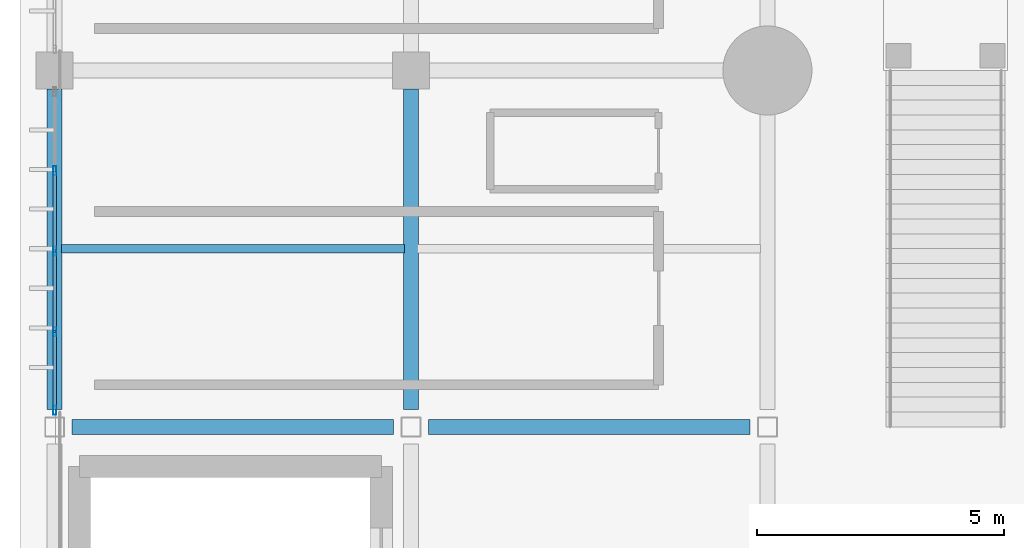
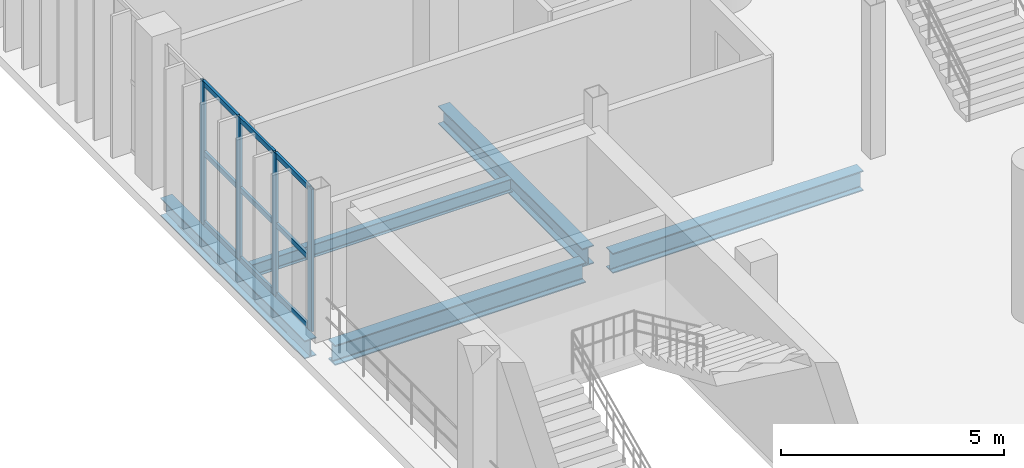
# One storey, part 30 of 130: 13 members, 5 beams, 1 element without a shape of its own.
"""IFC4 building model written with IfcOpenShell, lengths in metres."""

import ifcopenshell
import ifcopenshell.guid

model = None  # the IFC model being written
_history = None  # IfcOwnerHistory: only IFC2X3 demands one
_inside = {}  # id of a spatial element -> (the spatial element, [elements in it])
_under = {}  # id of a project, library or spatial element -> (it, [spatial elements below it])
_declared = {}  # id of a project -> (the project, [libraries it declares])
_typed = {}  # id of a type object -> (the type object, [elements of that type])
_made_of = {}  # id of a material, layer set ... -> (it, [elements and type objects made of it])


def new_model(schema):
    """Start an empty IFC model of exactly this schema.

    Asked for "IFC4X3", IfcOpenShell would pick the latest addendum, in which some entities
    have other attributes; the version numbers below select the first issue.
    IFC2X3 requires an IfcOwnerHistory on every rooted entity: one is made here for all.
    """
    global model, _history
    if schema == "IFC4X3":
        model = ifcopenshell.file(schema_version=(4, 3, 0, 0))
    else:
        model = ifcopenshell.file(schema=schema)
    _inside.clear()
    _under.clear()
    _declared.clear()
    _typed.clear()
    _made_of.clear()
    _history = None
    if model.schema == "IFC2X3":
        org = make("IfcOrganization", Name="unknown")
        user = make(
            "IfcPersonAndOrganization",
            ThePerson=make("IfcPerson", FamilyName="unknown"),
            TheOrganization=org,
        )
        app = make(
            "IfcApplication",
            ApplicationDeveloper=org,
            Version="unknown",
            ApplicationFullName="unknown",
            ApplicationIdentifier="unknown",
        )
        _history = make(
            "IfcOwnerHistory",
            OwningUser=user,
            OwningApplication=app,
            ChangeAction="ADDED",
            CreationDate=0,
        )
    return model


def make(cls, **values):
    """One entity of the class cls with the attributes given. An attribute that is None is left unset."""
    return model.create_entity(
        cls, **{name: value for name, value in values.items() if value is not None}
    )


def rooted(cls, **values):
    """An entity with a GlobalId (a new one), such as an element, a storey or a relation."""
    return make(cls, GlobalId=ifcopenshell.guid.new(), OwnerHistory=_history, **values)


def si_unit(unit_type, name, prefix=None):
    """IfcSIUnit, for example si_unit("LENGTHUNIT", "METRE", prefix="MILLI")."""
    return make("IfcSIUnit", UnitType=unit_type, Prefix=prefix, Name=name)


def assignment(units):
    """IfcUnitAssignment: the units of a project."""
    return None if units is None else make("IfcUnitAssignment", Units=units)


def point(xyz):
    """IfcCartesianPoint."""
    return None if xyz is None else make("IfcCartesianPoint", Coordinates=xyz)


def direction(xyz):
    """IfcDirection."""
    return None if xyz is None else make("IfcDirection", DirectionRatios=xyz)


def frame(location, z_axis=None, x_axis=None):
    """IfcAxis2Placement3D, a coordinate frame: its origin and axes. An axis left out is left unset."""
    return make(
        "IfcAxis2Placement3D",
        Location=point(location),
        Axis=direction(z_axis),
        RefDirection=direction(x_axis),
    )


def frame_2d(location, x_axis=None):
    """IfcAxis2Placement2D, a coordinate frame in the plane: its origin and x axis."""
    return make(
        "IfcAxis2Placement2D", Location=point(location), RefDirection=direction(x_axis)
    )


def origin():
    """The frame at (0, 0, 0) with its axes left unset."""
    return frame((0.0, 0.0, 0.0))


def origin_2d():
    """The frame at (0, 0) in the plane with its x axis left unset."""
    return frame_2d((0.0, 0.0))


def place(relative_to, where):
    """IfcLocalPlacement: puts the frame where relative to a parent placement (None: the world)."""
    return make(
        "IfcLocalPlacement", PlacementRelTo=relative_to, RelativePlacement=where
    )


def context(
    kind, dimensions, precision=None, world=None, true_north=None, identifier=None
):
    """IfcGeometricRepresentationContext, for example the 3D "Model" context."""
    return make(
        "IfcGeometricRepresentationContext",
        ContextIdentifier=identifier,
        ContextType=kind,
        CoordinateSpaceDimension=dimensions,
        Precision=precision,
        WorldCoordinateSystem=world,
        TrueNorth=true_north,
    )


def subcontext(parent, identifier, kind, view, scale=None):
    """IfcGeometricRepresentationSubContext, for example "Body" below "Model"."""
    return make(
        "IfcGeometricRepresentationSubContext",
        ContextIdentifier=identifier,
        ContextType=kind,
        ParentContext=parent,
        TargetScale=scale,
        TargetView=view,
    )


def project(units=None, contexts=None):
    """IfcProject with its units and contexts."""
    return rooted(
        "IfcProject",
        Name="project",
        RepresentationContexts=contexts,
        UnitsInContext=assignment(units),
    )


def spatial(cls, under=None, at=None, **own):
    """A site, building, storey or space (cls), placed at a placement, below another one or the project."""
    s = rooted(cls, ObjectPlacement=at, **own)
    if under is not None:
        _under.setdefault(under.id(), (under, []))[1].append(s)
    return s


def profile(cls, at=None, kind="AREA", **sizes):
    """A parametric profile (cls). Its sizes go by their IFC names, for example OverallWidth=200.0."""
    return make(cls, ProfileType=kind, Position=at, **sizes)


def hollow_rectangle(**sizes):
    """IfcRectangleHollowProfileDef."""
    return profile("IfcRectangleHollowProfileDef", **sizes)


def i_section(**sizes):
    """IfcIShapeProfileDef."""
    return profile("IfcIShapeProfileDef", **sizes)


def extrude(swept, where, along, depth):
    """IfcExtrudedAreaSolid: the profile swept, set in the frame where, extruded along a direction by depth."""
    return make(
        "IfcExtrudedAreaSolid",
        SweptArea=swept,
        Position=where,
        ExtrudedDirection=direction(along),
        Depth=depth,
    )


def shape(context_of_items, identifier, shape_type, items):
    """IfcShapeRepresentation: the items that make up one representation, for example the "Body"."""
    return make(
        "IfcShapeRepresentation",
        ContextOfItems=context_of_items,
        RepresentationIdentifier=identifier,
        RepresentationType=shape_type,
        Items=items,
    )


def material(Name=None, Category=None):
    """IfcMaterial."""
    return make("IfcMaterial", Name=Name, Category=Category)


def material_profile(
    of_material, cross_section, Name=None, Category=None, Priority=None
):
    """IfcMaterialProfile: a cross section and its material."""
    return make(
        "IfcMaterialProfile",
        Name=Name,
        Material=of_material,
        Profile=cross_section,
        Priority=Priority,
        Category=Category,
    )


def profile_set(profiles, Name=None, composite=None):
    """IfcMaterialProfileSet."""
    return make(
        "IfcMaterialProfileSet",
        Name=Name,
        MaterialProfiles=profiles,
        CompositeProfile=composite,
    )


def made_of(thing, what):
    """Note that an element or type object is made of a material, layer set ...; save() writes the relation."""
    if what is not None:
        _made_of.setdefault(what.id(), (what, []))[1].append(thing)
    return thing


def type_object(cls, material=None, **own):
    """A type object (cls), such as IfcWallType, which elements share."""
    return made_of(rooted(cls, **own), material)


def element(
    cls,
    number,
    at=None,
    inside=None,
    cuts=None,
    type_object=None,
    material=None,
    context=None,
    identifier="Body",
    shape_type=None,
    held_by="IfcProductDefinitionShape",
    body=None,
    shapes=None,
    **own,
):
    """One element of the class cls, such as IfcWall. Its Tag is "e" and its number.

    at: its placement. inside: the storey or other place that contains it. cuts: it is an
    opening in that element (IfcRelVoidsElement). A single representation is given by context,
    identifier, shape_type and body (its items); several are given by shapes. held_by: the class
    of the entity that holds the representations. save() writes the other relations.
    """
    e = rooted(cls, Tag="e%d" % number, ObjectPlacement=at, **own)
    if body is not None:
        shapes = [shape(context, identifier, shape_type, body)]
    if shapes is not None:
        e.Representation = make(held_by, Representations=shapes)
    if inside is not None:
        _inside.setdefault(inside.id(), (inside, []))[1].append(e)
    if cuts is not None:
        rooted(
            "IfcRelVoidsElement", RelatingBuildingElement=cuts, RelatedOpeningElement=e
        )
    if type_object is not None:
        _typed.setdefault(type_object.id(), (type_object, []))[1].append(e)
    return made_of(e, material)


def aggregate(whole, parts):
    """IfcRelAggregates: a whole, such as a stair, and the parts it consists of."""
    return rooted("IfcRelAggregates", RelatingObject=whole, RelatedObjects=parts)


def save(model, path):
    """Write the relations noted so far, then the file.

    IfcRelAggregates (storeys below a building ...), IfcRelContainedInSpatialStructure (elements
    in a storey), IfcRelDefinesByType, IfcRelAssociatesMaterial and IfcRelDeclares: one each for
    every whole, place, type object, material and project.
    """
    for whole, parts in _under.values():
        aggregate(whole, parts)
    for where, things in _inside.values():
        rooted(
            "IfcRelContainedInSpatialStructure",
            RelatedElements=things,
            RelatingStructure=where,
        )
    for kind, things in _typed.values():
        rooted("IfcRelDefinesByType", RelatedObjects=things, RelatingType=kind)
    for what, things in _made_of.values():
        rooted("IfcRelAssociatesMaterial", RelatedObjects=things, RelatingMaterial=what)
    for by, libraries in _declared.values():
        rooted("IfcRelDeclares", RelatingContext=by, RelatedDefinitions=libraries)
    model.write(path)


model = new_model("IFC4")

# Units and contexts
model_context = context("Model", 3, precision=1e-05, world=origin(), true_north=direction((0.0, 1.0)))
body_context = subcontext(model_context, "Body", "Model", "MODEL_VIEW")
ifc_project = project(units=[si_unit("LENGTHUNIT", "METRE"), si_unit("AREAUNIT", "SQUARE_METRE"), si_unit("VOLUMEUNIT", "CUBIC_METRE"), si_unit("PLANEANGLEUNIT", "RADIAN"), si_unit("MASSUNIT", "GRAM", prefix="KILO")], contexts=[model_context])

# Site, building, storey
site_placement = place(None, origin())
site = spatial("IfcSite", under=ifc_project, at=site_placement, CompositionType="ELEMENT")
building_placement = place(site_placement, origin())
building = spatial("IfcBuilding", under=site, at=building_placement, Name="Qandorah Velis Arena", CompositionType="ELEMENT")
storey_placement = place(building_placement, frame((0.0, 0.0, 9.60009765625)))
storey = spatial("IfcBuildingStorey", under=building, at=storey_placement, Name="L02", CompositionType="ELEMENT", Elevation=9.60009765625)

# Curtain wall, members
ifc_material_1 = material(Name="Solar-control low-E double glazing", Category="glass")
curtain_wall_type = type_object("IfcCurtainWallType", Name="ARC-CW-SYS14", PredefinedType="USERDEFINED", material=ifc_material_1)
curtain_wall_placement = place(storey_placement, origin())
curtain_wall = element("IfcCurtainWall", 1, at=curtain_wall_placement, inside=storey, type_object=curtain_wall_type, Name="Unitised curtain wall L02-014", ObjectType="UNITISED CURTAIN WALL", PredefinedType="USERDEFINED")
ifc_material_2 = material(Name="Champagne-bronze anodized aluminium 6063-T6", Category="aluminium")
ifc_material_profile_1 = material_profile(ifc_material_2, hollow_rectangle(XDim=0.06494140625, YDim=0.179931640625, WallThickness=0.00341796875, at=origin_2d()), Name="ALU MULLION 65x180")
ifc_profile_set_1 = profile_set([ifc_material_profile_1], Name="Champagne-bronze anodized aluminium 6063-T6")
member_type_1 = type_object("IfcMemberType", Name="ARC-CWM-180", PredefinedType="MULLION", material=ifc_profile_set_1)
member_1_placement = place(storey_placement, frame((0.0, 50.732421875, -0.01513671875), z_axis=(0.0, 0.0, 1.0), x_axis=(-1.0, 0.0, 0.0)))
member_1 = element("IfcMember", 2, at=member_1_placement, type_object=member_type_1, Name="CW14 mullion 1", PredefinedType="MULLION", context=body_context, shape_type="SweptSolid", body=[
    extrude(hollow_rectangle(XDim=0.06494140625, YDim=0.179931640625, WallThickness=0.00341796875, at=origin_2d()), origin(), (0.0, 0.0, 1.0), 3.91015625),
])
member_2_placement = place(storey_placement, frame((0.0, 52.324951171875, -0.01513671875), z_axis=(0.0, 0.0, 1.0), x_axis=(-1.0, 0.0, 0.0)))
member_2 = element("IfcMember", 3, at=member_2_placement, type_object=member_type_1, Name="CW14 mullion 2", PredefinedType="MULLION", context=body_context, shape_type="SweptSolid", body=[
    extrude(hollow_rectangle(XDim=0.06494140625, YDim=0.179931640625, WallThickness=0.00341796875, at=origin_2d()), origin(), (0.0, 0.0, 1.0), 3.91015625),
])
member_3_placement = place(storey_placement, frame((0.0, 53.949951171875, -0.01513671875), z_axis=(0.0, 0.0, 1.0), x_axis=(-1.0, 0.0, 0.0)))
member_3 = element("IfcMember", 4, at=member_3_placement, type_object=member_type_1, Name="CW14 mullion 3", PredefinedType="MULLION", context=body_context, shape_type="SweptSolid", body=[
    extrude(hollow_rectangle(XDim=0.06494140625, YDim=0.179931640625, WallThickness=0.00341796875, at=origin_2d()), origin(), (0.0, 0.0, 1.0), 3.91015625),
])
member_4_placement = place(storey_placement, frame((0.0, 55.574951171875, -0.01513671875), z_axis=(0.0, 0.0, 1.0), x_axis=(-1.0, 0.0, 0.0)))
member_4 = element("IfcMember", 5, at=member_4_placement, type_object=member_type_1, Name="CW14 mullion 4", PredefinedType="MULLION", context=body_context, shape_type="SweptSolid", body=[
    extrude(hollow_rectangle(XDim=0.06494140625, YDim=0.179931640625, WallThickness=0.00341796875, at=origin_2d()), origin(), (0.0, 0.0, 1.0), 3.91015625),
])
ifc_material_profile_2 = material_profile(ifc_material_2, hollow_rectangle(XDim=0.06494140625, YDim=0.139892578125, WallThickness=0.0029296875, at=origin_2d()), Name="ALU TRANSOM 65x140")
ifc_profile_set_2 = profile_set([ifc_material_profile_2], Name="Champagne-bronze anodized aluminium 6063-T6")
member_type_2 = type_object("IfcMemberType", Name="ARC-CWT-140", PredefinedType="USERDEFINED", material=ifc_profile_set_2)
member_5_placement = place(storey_placement, frame((0.0, 50.7529296875, 0.032470703125), z_axis=(0.0, 1.0, 0.0), x_axis=(-1.0, 0.0, 0.0)))
member_5 = element("IfcMember", 6, at=member_5_placement, type_object=member_type_2, Name="CW14 transom 1.1", ObjectType="TRANSOM", PredefinedType="USERDEFINED", context=body_context, shape_type="SweptSolid", body=[
    extrude(hollow_rectangle(XDim=0.06494140625, YDim=0.139892578125, WallThickness=0.0029296875, at=origin_2d()), origin(), (0.0, 0.0, 1.0), 1.551513671875),
])
member_6_placement = place(storey_placement, frame((0.0, 50.7529296875, 1.93994140625), z_axis=(0.0, 1.0, 0.0), x_axis=(-1.0, 0.0, 0.0)))
member_6 = element("IfcMember", 7, at=member_6_placement, type_object=member_type_2, Name="CW14 transom 1.2", ObjectType="TRANSOM", PredefinedType="USERDEFINED", context=body_context, shape_type="SweptSolid", body=[
    extrude(hollow_rectangle(XDim=0.06494140625, YDim=0.139892578125, WallThickness=0.0029296875, at=origin_2d()), origin(), (0.0, 0.0, 1.0), 1.551513671875),
])
member_7_placement = place(storey_placement, frame((0.0, 50.7529296875, 3.847412109375), z_axis=(0.0, 1.0, 0.0), x_axis=(-1.0, 0.0, 0.0)))
member_7 = element("IfcMember", 8, at=member_7_placement, type_object=member_type_2, Name="CW14 transom 1.3", ObjectType="TRANSOM", PredefinedType="USERDEFINED", context=body_context, shape_type="SweptSolid", body=[
    extrude(hollow_rectangle(XDim=0.06494140625, YDim=0.139892578125, WallThickness=0.0029296875, at=origin_2d()), origin(), (0.0, 0.0, 1.0), 1.551513671875),
])
member_8_placement = place(storey_placement, frame((0.0, 52.345458984375, 0.032470703125), z_axis=(0.0, 1.0, 0.0), x_axis=(-1.0, 0.0, 0.0)))
member_8 = element("IfcMember", 9, at=member_8_placement, type_object=member_type_2, Name="CW14 transom 2.1", ObjectType="TRANSOM", PredefinedType="USERDEFINED", context=body_context, shape_type="SweptSolid", body=[
    extrude(hollow_rectangle(XDim=0.06494140625, YDim=0.139892578125, WallThickness=0.0029296875, at=origin_2d()), origin(), (0.0, 0.0, 1.0), 1.583984375),
])
member_9_placement = place(storey_placement, frame((0.0, 52.345458984375, 1.93994140625), z_axis=(0.0, 1.0, 0.0), x_axis=(-1.0, 0.0, 0.0)))
member_9 = element("IfcMember", 10, at=member_9_placement, type_object=member_type_2, Name="CW14 transom 2.2", ObjectType="TRANSOM", PredefinedType="USERDEFINED", context=body_context, shape_type="SweptSolid", body=[
    extrude(hollow_rectangle(XDim=0.06494140625, YDim=0.139892578125, WallThickness=0.0029296875, at=origin_2d()), origin(), (0.0, 0.0, 1.0), 1.583984375),
])
member_10_placement = place(storey_placement, frame((0.0, 52.345458984375, 3.847412109375), z_axis=(0.0, 1.0, 0.0), x_axis=(-1.0, 0.0, 0.0)))
member_10 = element("IfcMember", 11, at=member_10_placement, type_object=member_type_2, Name="CW14 transom 2.3", ObjectType="TRANSOM", PredefinedType="USERDEFINED", context=body_context, shape_type="SweptSolid", body=[
    extrude(hollow_rectangle(XDim=0.06494140625, YDim=0.139892578125, WallThickness=0.0029296875, at=origin_2d()), origin(), (0.0, 0.0, 1.0), 1.583984375),
])
member_11_placement = place(storey_placement, frame((0.0, 53.970458984375, 0.032470703125), z_axis=(0.0, 1.0, 0.0), x_axis=(-1.0, 0.0, 0.0)))
member_11 = element("IfcMember", 12, at=member_11_placement, type_object=member_type_2, Name="CW14 transom 3.1", ObjectType="TRANSOM", PredefinedType="USERDEFINED", context=body_context, shape_type="SweptSolid", body=[
    extrude(hollow_rectangle(XDim=0.06494140625, YDim=0.139892578125, WallThickness=0.0029296875, at=origin_2d()), origin(), (0.0, 0.0, 1.0), 1.583984375),
])
member_12_placement = place(storey_placement, frame((0.0, 53.970458984375, 1.93994140625), z_axis=(0.0, 1.0, 0.0), x_axis=(-1.0, 0.0, 0.0)))
member_12 = element("IfcMember", 13, at=member_12_placement, type_object=member_type_2, Name="CW14 transom 3.2", ObjectType="TRANSOM", PredefinedType="USERDEFINED", context=body_context, shape_type="SweptSolid", body=[
    extrude(hollow_rectangle(XDim=0.06494140625, YDim=0.139892578125, WallThickness=0.0029296875, at=origin_2d()), origin(), (0.0, 0.0, 1.0), 1.583984375),
])
member_13_placement = place(storey_placement, frame((0.0, 53.970458984375, 3.847412109375), z_axis=(0.0, 1.0, 0.0), x_axis=(-1.0, 0.0, 0.0)))
member_13 = element("IfcMember", 14, at=member_13_placement, type_object=member_type_2, Name="CW14 transom 3.3", ObjectType="TRANSOM", PredefinedType="USERDEFINED", context=body_context, shape_type="SweptSolid", body=[
    extrude(hollow_rectangle(XDim=0.06494140625, YDim=0.139892578125, WallThickness=0.0029296875, at=origin_2d()), origin(), (0.0, 0.0, 1.0), 1.583984375),
])
aggregate(curtain_wall, [member_1, member_2, member_3, member_4, member_5, member_6, member_7, member_8, member_9, member_10, member_11, member_12, member_13])

# Beams
ifc_material_3 = material(Name="Steel S355", Category="steel")
ifc_material_profile_3 = material_profile(ifc_material_3, i_section(OverallWidth=0.300048828125, OverallDepth=0.5, WebThickness=0.014404296875, FlangeThickness=0.028076171875, FilletRadius=0.027099609375, at=origin_2d()), Name="HEB 500")
ifc_profile_set_3 = profile_set([ifc_material_profile_3], Name="Steel S355")
beam_type_1 = type_object("IfcBeamType", Name="STR-BM-HEB500", PredefinedType="BEAM", material=ifc_profile_set_3)
for number, where, z_axis, x_axis, name in (
    (15, (0.0, 50.75, -0.530029296875), (0.0, 1.0, 0.0), (-1.0, 0.0, 0.0), "Primary floor girder L02 Y-189"),
    (16, (7.199951171875, 50.75, -0.530029296875), (0.0, 1.0, 0.0), (-1.0, 0.0, 0.0), "Primary floor girder L02 Y-203"),
):
    element("IfcBeam", number, at=place(storey_placement, frame(where, z_axis=z_axis, x_axis=x_axis)), inside=storey, type_object=beam_type_1, Name=name, PredefinedType="BEAM", context=body_context, shape_type="SweptSolid", body=[
        extrude(i_section(OverallWidth=0.300048828125, OverallDepth=0.5, WebThickness=0.014404296875, FlangeThickness=0.028076171875, FilletRadius=0.027099609375, at=origin_2d()), origin(), (0.0, 0.0, 1.0), 6.47509765625),
    ])
ifc_material_profile_4 = material_profile(ifc_material_3, i_section(OverallWidth=0.300048828125, OverallDepth=0.550048828125, WebThickness=0.014892578125, FlangeThickness=0.029052734375, FilletRadius=0.027099609375, at=origin_2d()), Name="HEB 550")
ifc_profile_set_4 = profile_set([ifc_material_profile_4], Name="Steel S355")
beam_type_2 = type_object("IfcBeamType", Name="STR-BM-HEB550", PredefinedType="BEAM", material=ifc_profile_set_4)
for number, where, z_axis, x_axis, name in (
    (17, (0.35009765625, 50.39990234375, -0.55517578125), (1.0, 0.0, 0.0), (0.0, 1.0, 0.0), "Primary floor girder L02 X-076"),
    (18, (7.550048828125, 50.39990234375, -0.55517578125), (1.0, 0.0, 0.0), (0.0, 1.0, 0.0), "Primary floor girder L02 X-077"),
):
    element("IfcBeam", number, at=place(storey_placement, frame(where, z_axis=z_axis, x_axis=x_axis)), inside=storey, type_object=beam_type_2, Name=name, PredefinedType="BEAM", context=body_context, shape_type="SweptSolid", body=[
        extrude(i_section(OverallWidth=0.300048828125, OverallDepth=0.550048828125, WebThickness=0.014892578125, FlangeThickness=0.029052734375, FilletRadius=0.027099609375, at=origin_2d()), origin(), (0.0, 0.0, 1.0), 6.5),
    ])
ifc_material_profile_5 = material_profile(ifc_material_3, i_section(OverallWidth=0.169921875, OverallDepth=0.360107421875, WebThickness=0.008056640625, FlangeThickness=0.0126953125, FilletRadius=0.01806640625, at=origin_2d()), Name="IPE 360")
ifc_profile_set_5 = profile_set([ifc_material_profile_5], Name="Steel S355")
beam_type_3 = type_object("IfcBeamType", Name="STR-JST-IPE360", PredefinedType="JOIST", material=ifc_profile_set_5)
beam_placement = place(storey_placement, frame((0.135009765625, 54.0, -0.460205078125), z_axis=(1.0, 0.0, 0.0), x_axis=(0.0, 1.0, 0.0)))
element("IfcBeam", 19, at=beam_placement, inside=storey, type_object=beam_type_3, Name="Secondary floor joist L02-004", PredefinedType="JOIST", context=body_context, shape_type="SweptSolid", body=[
    extrude(i_section(OverallWidth=0.169921875, OverallDepth=0.360107421875, WebThickness=0.008056640625, FlangeThickness=0.0126953125, FilletRadius=0.01806640625, at=origin_2d()), origin(), (0.0, 0.0, 1.0), 6.929931640625),
])

save(model, "model.ifc")
